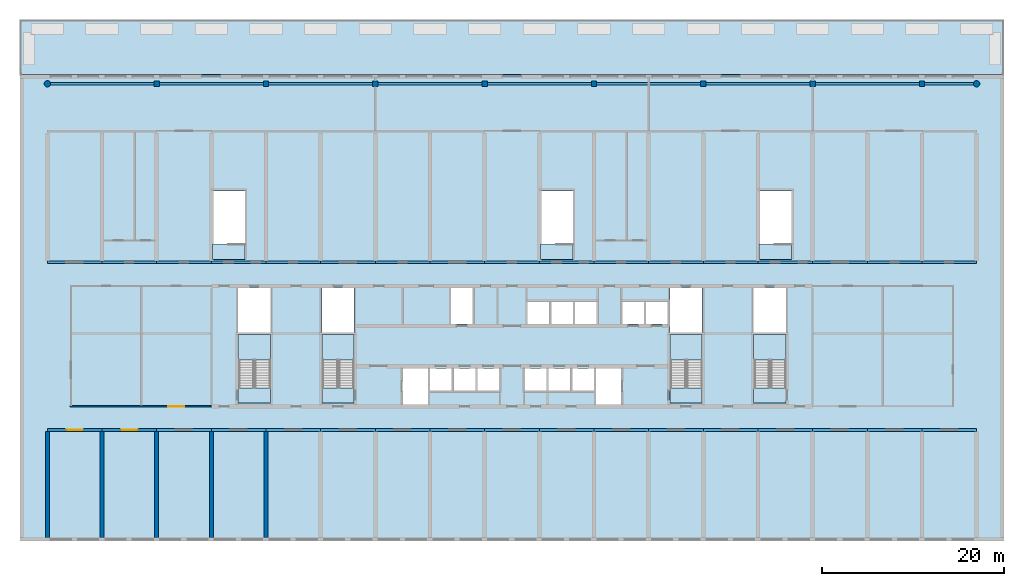
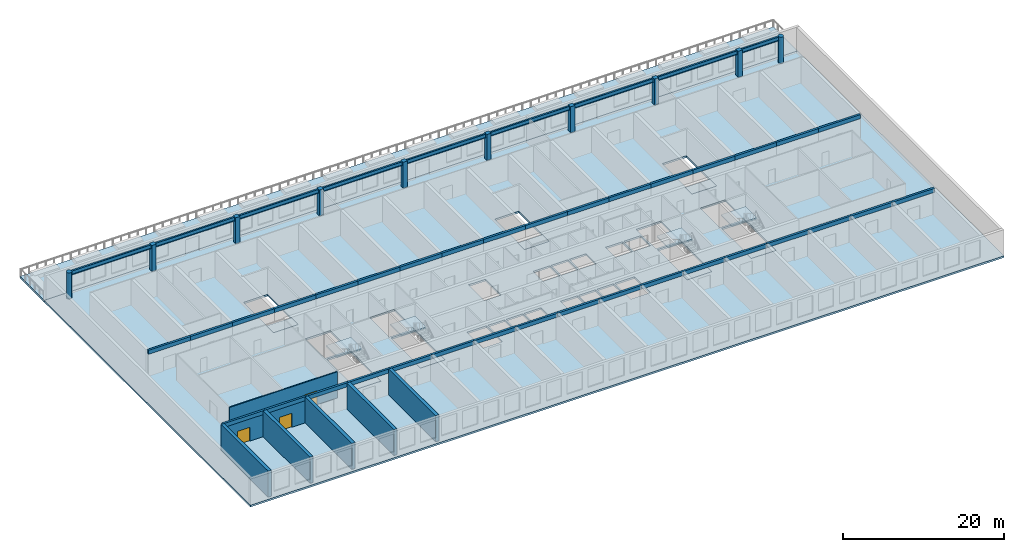
# One storey, part 1 of 15: 43 beams, 13 slabs, 10 columns, 8 walls, 3 doors, 3 openings, 4 elements without a shape of their own.
"""IFC4 building model written with IfcOpenShell, lengths in metres."""

from ifc_helpers import new_model, si_unit, direction, frame, frame_2d, origin, origin_2d, place, context, subcontext, project, spatial, polyline, rectangle, circle, i_section, outline, extrude, source, transform, mapped, material, layer, layer_set, material_profile, profile_set, type_object, element, fill, aggregate, save


model = new_model("IFC4")

# Units and contexts
model_context = context("Model", 3, precision=1e-05, world=origin(), true_north=direction((0.0, 1.0)))
body_context = subcontext(model_context, "Body", "Model", "MODEL_VIEW")
ifc_project = project(units=[si_unit("LENGTHUNIT", "METRE"), si_unit("AREAUNIT", "SQUARE_METRE"), si_unit("VOLUMEUNIT", "CUBIC_METRE"), si_unit("PLANEANGLEUNIT", "RADIAN"), si_unit("MASSUNIT", "GRAM", prefix="KILO")], contexts=[model_context])

# Site, building, storey
site_placement = place(None, origin())
site = spatial("IfcSite", under=ifc_project, at=site_placement, CompositionType="ELEMENT")
building_placement = place(site_placement, origin())
building = spatial("IfcBuilding", under=site, at=building_placement, Name="Poui Terraces", CompositionType="ELEMENT")
storey_placement = place(building_placement, frame((0.0, 0.0, 19.199951171875)))
storey = spatial("IfcBuildingStorey", under=building, at=storey_placement, Name="L04", CompositionType="ELEMENT", Elevation=19.199951171875)

# Columns
ifc_material_1 = material(Name="Concrete 80 MPa", Category="concrete")
ifc_material_profile_1 = material_profile(ifc_material_1, circle(Radius=0.35009765625, at=origin_2d()), Name="RC D700")
ifc_profile_set_1 = profile_set([ifc_material_profile_1], Name="Concrete 80 MPa")
column_type_1 = type_object("IfcColumnType", Name="COLUMN D700 80MPa", PredefinedType="COLUMN", material=ifc_profile_set_1)
shared_shape_1 = source(origin(), body_context, "Body", "SweptSolid", [
    extrude(circle(Radius=0.35009765625, at=origin_2d()), origin(), (0.0, 0.0, 1.0), 3.949951171875),
])
for number, where, z_axis, x_axis, name in (
    (1, (0.0, 50.0, 0.0), (0.0, 0.0, 1.0), (1.0, 0.0, 0.0), "COLUMN P4-1R"),
    (2, (102.0, 50.0, 0.0), (0.0, 0.0, 1.0), (1.0, 0.0, 0.0), "COLUMN P4-10R"),
):
    element("IfcColumn", number, at=place(storey_placement, frame(where, z_axis=z_axis, x_axis=x_axis)), inside=storey, type_object=column_type_1, Name=name, PredefinedType="COLUMN", context=body_context, shape_type="MappedRepresentation", body=[
        mapped(shared_shape_1, transform((0.0, 0.0, 0.0))),
    ])
ifc_material_profile_2 = material_profile(ifc_material_1, rectangle(XDim=0.60009765625, YDim=0.60009765625, at=origin_2d()), Name="RC 600x600")
ifc_profile_set_2 = profile_set([ifc_material_profile_2], Name="Concrete 80 MPa")
column_type_2 = type_object("IfcColumnType", Name="COLUMN 600x600 80MPa", PredefinedType="COLUMN", material=ifc_profile_set_2)
shared_shape_2 = source(origin(), body_context, "Body", "SweptSolid", [
    extrude(rectangle(XDim=0.60009765625, YDim=0.60009765625, at=origin_2d()), origin(), (0.0, 0.0, 1.0), 3.949951171875),
])
for number, where, z_axis, x_axis, name in (
    (3, (12.0, 50.0, 0.0), (0.0, 0.0, 1.0), (1.0, 0.0, 0.0), "COLUMN P4-2"),
    (4, (24.0, 50.0, 0.0), (0.0, 0.0, 1.0), (1.0, 0.0, 0.0), "COLUMN P4-3"),
    (5, (36.0, 50.0, 0.0), (0.0, 0.0, 1.0), (1.0, 0.0, 0.0), "COLUMN P4-4"),
    (6, (48.0, 50.0, 0.0), (0.0, 0.0, 1.0), (1.0, 0.0, 0.0), "COLUMN P4-5"),
    (7, (60.0, 50.0, 0.0), (0.0, 0.0, 1.0), (1.0, 0.0, 0.0), "COLUMN P4-6"),
    (8, (72.0, 50.0, 0.0), (0.0, 0.0, 1.0), (1.0, 0.0, 0.0), "COLUMN P4-7"),
    (9, (84.0, 50.0, 0.0), (0.0, 0.0, 1.0), (1.0, 0.0, 0.0), "COLUMN P4-8"),
    (10, (96.0, 50.0, 0.0), (0.0, 0.0, 1.0), (1.0, 0.0, 0.0), "COLUMN P4-9"),
):
    element("IfcColumn", number, at=place(storey_placement, frame(where, z_axis=z_axis, x_axis=x_axis)), inside=storey, type_object=column_type_2, Name=name, PredefinedType="COLUMN", context=body_context, shape_type="MappedRepresentation", body=[
        mapped(shared_shape_2, transform((0.0, 0.0, 0.0))),
    ])

# Beams
ifc_material_profile_3 = material_profile(ifc_material_1, rectangle(XDim=0.300048828125, YDim=0.60009765625, at=origin_2d()), Name="RC 300x600")
ifc_profile_set_3 = profile_set([ifc_material_profile_3], Name="Concrete 80 MPa")
beam_type_1 = type_object("IfcBeamType", Name="COUPLING BEAM 300x600 80MPa", PredefinedType="BEAM", material=ifc_profile_set_3)
shared_shape_3 = source(origin(), body_context, "Body", "SweptSolid", [
    extrude(rectangle(XDim=0.300048828125, YDim=0.60009765625, at=origin_2d()), origin(), (0.0, 0.0, 1.0), 6.0),
])
for number, where, z_axis, x_axis, name in (
    (11, (0.0, 12.0, 3.650146484375), (1.0, 0.0, 0.0), (0.0, 1.0, 0.0), "COUPLING BEAM LINE B BAY 1"),
    (12, (6.0, 12.0, 3.650146484375), (1.0, 0.0, 0.0), (0.0, 1.0, 0.0), "COUPLING BEAM LINE B BAY 2"),
    (13, (12.0, 12.0, 3.650146484375), (1.0, 0.0, 0.0), (0.0, 1.0, 0.0), "COUPLING BEAM LINE B BAY 3"),
    (14, (18.0, 12.0, 3.650146484375), (1.0, 0.0, 0.0), (0.0, 1.0, 0.0), "COUPLING BEAM LINE B BAY 4"),
    (15, (24.0, 12.0, 3.650146484375), (1.0, 0.0, 0.0), (0.0, 1.0, 0.0), "COUPLING BEAM LINE B BAY 5"),
    (16, (30.0, 12.0, 3.650146484375), (1.0, 0.0, 0.0), (0.0, 1.0, 0.0), "COUPLING BEAM LINE B BAY 6"),
    (17, (36.0, 12.0, 3.650146484375), (1.0, 0.0, 0.0), (0.0, 1.0, 0.0), "COUPLING BEAM LINE B BAY 7"),
    (18, (42.0, 12.0, 3.650146484375), (1.0, 0.0, 0.0), (0.0, 1.0, 0.0), "COUPLING BEAM LINE B BAY 8"),
    (19, (48.0, 12.0, 3.650146484375), (1.0, 0.0, 0.0), (0.0, 1.0, 0.0), "COUPLING BEAM LINE B BAY 9"),
    (20, (54.0, 12.0, 3.650146484375), (1.0, 0.0, 0.0), (0.0, 1.0, 0.0), "COUPLING BEAM LINE B BAY 10"),
    (21, (60.0, 12.0, 3.650146484375), (1.0, 0.0, 0.0), (0.0, 1.0, 0.0), "COUPLING BEAM LINE B BAY 11"),
    (22, (66.0, 12.0, 3.650146484375), (1.0, 0.0, 0.0), (0.0, 1.0, 0.0), "COUPLING BEAM LINE B BAY 12"),
    (23, (72.0, 12.0, 3.650146484375), (1.0, 0.0, 0.0), (0.0, 1.0, 0.0), "COUPLING BEAM LINE B BAY 13"),
    (24, (78.0, 12.0, 3.650146484375), (1.0, 0.0, 0.0), (0.0, 1.0, 0.0), "COUPLING BEAM LINE B BAY 14"),
    (25, (84.0, 12.0, 3.650146484375), (1.0, 0.0, 0.0), (0.0, 1.0, 0.0), "COUPLING BEAM LINE B BAY 15"),
    (26, (90.0, 12.0, 3.650146484375), (1.0, 0.0, 0.0), (0.0, 1.0, 0.0), "COUPLING BEAM LINE B BAY 16"),
    (27, (96.0, 12.0, 3.650146484375), (1.0, 0.0, 0.0), (0.0, 1.0, 0.0), "COUPLING BEAM LINE B BAY 17"),
    (28, (0.0, 30.39990234375, 3.650146484375), (1.0, 0.0, 0.0), (0.0, 1.0, 0.0), "COUPLING BEAM LINE E BAY 1"),
    (29, (6.0, 30.39990234375, 3.650146484375), (1.0, 0.0, 0.0), (0.0, 1.0, 0.0), "COUPLING BEAM LINE E BAY 2"),
    (30, (12.0, 30.39990234375, 3.650146484375), (1.0, 0.0, 0.0), (0.0, 1.0, 0.0), "COUPLING BEAM LINE E BAY 3"),
    (31, (18.0, 30.39990234375, 3.650146484375), (1.0, 0.0, 0.0), (0.0, 1.0, 0.0), "COUPLING BEAM LINE E BAY 4"),
    (32, (24.0, 30.39990234375, 3.650146484375), (1.0, 0.0, 0.0), (0.0, 1.0, 0.0), "COUPLING BEAM LINE E BAY 5"),
    (33, (30.0, 30.39990234375, 3.650146484375), (1.0, 0.0, 0.0), (0.0, 1.0, 0.0), "COUPLING BEAM LINE E BAY 6"),
    (34, (36.0, 30.39990234375, 3.650146484375), (1.0, 0.0, 0.0), (0.0, 1.0, 0.0), "COUPLING BEAM LINE E BAY 7"),
    (35, (42.0, 30.39990234375, 3.650146484375), (1.0, 0.0, 0.0), (0.0, 1.0, 0.0), "COUPLING BEAM LINE E BAY 8"),
    (36, (48.0, 30.39990234375, 3.650146484375), (1.0, 0.0, 0.0), (0.0, 1.0, 0.0), "COUPLING BEAM LINE E BAY 9"),
    (37, (54.0, 30.39990234375, 3.650146484375), (1.0, 0.0, 0.0), (0.0, 1.0, 0.0), "COUPLING BEAM LINE E BAY 10"),
    (38, (60.0, 30.39990234375, 3.650146484375), (1.0, 0.0, 0.0), (0.0, 1.0, 0.0), "COUPLING BEAM LINE E BAY 11"),
    (39, (66.0, 30.39990234375, 3.650146484375), (1.0, 0.0, 0.0), (0.0, 1.0, 0.0), "COUPLING BEAM LINE E BAY 12"),
    (40, (72.0, 30.39990234375, 3.650146484375), (1.0, 0.0, 0.0), (0.0, 1.0, 0.0), "COUPLING BEAM LINE E BAY 13"),
    (41, (78.0, 30.39990234375, 3.650146484375), (1.0, 0.0, 0.0), (0.0, 1.0, 0.0), "COUPLING BEAM LINE E BAY 14"),
    (42, (84.0, 30.39990234375, 3.650146484375), (1.0, 0.0, 0.0), (0.0, 1.0, 0.0), "COUPLING BEAM LINE E BAY 15"),
    (43, (90.0, 30.39990234375, 3.650146484375), (1.0, 0.0, 0.0), (0.0, 1.0, 0.0), "COUPLING BEAM LINE E BAY 16"),
    (44, (96.0, 30.39990234375, 3.650146484375), (1.0, 0.0, 0.0), (0.0, 1.0, 0.0), "COUPLING BEAM LINE E BAY 17"),
):
    element("IfcBeam", number, at=place(storey_placement, frame(where, z_axis=z_axis, x_axis=x_axis)), inside=storey, type_object=beam_type_1, Name=name, PredefinedType="BEAM", context=body_context, shape_type="MappedRepresentation", body=[
        mapped(shared_shape_3, transform((0.0, 0.0, 0.0))),
    ])
ifc_material_2 = material(Name="Steel Grade 300 MPa", Category="steel")
ifc_material_profile_4 = material_profile(ifc_material_2, i_section(OverallWidth=0.22900390625, OverallDepth=0.611572265625, WebThickness=0.011962890625, FlangeThickness=0.01953125, FilletRadius=0.013916015625, at=origin_2d()), Name="610UB125")
ifc_profile_set_4 = profile_set([ifc_material_profile_4], Name="Steel Grade 300 MPa")
beam_type_2 = type_object("IfcBeamType", Name="TERRACE GIRDER 610UB125", PredefinedType="BEAM", material=ifc_profile_set_4)
shared_shape_4 = source(origin(), body_context, "Body", "SweptSolid", [
    extrude(i_section(OverallWidth=0.22900390625, OverallDepth=0.611572265625, WebThickness=0.011962890625, FlangeThickness=0.01953125, FilletRadius=0.013916015625, at=origin_2d()), origin(), (0.0, 0.0, 1.0), 11.349853515625),
])
beam_1_placement = place(storey_placement, frame((0.35009765625, 50.0, 3.644287109375), z_axis=(1.0, 0.0, 0.0), x_axis=(0.0, 1.0, 0.0)))
element("IfcBeam", 45, at=beam_1_placement, inside=storey, type_object=beam_type_2, Name="TERRACE GIRDER", PredefinedType="BEAM", context=body_context, shape_type="MappedRepresentation", body=[
    mapped(shared_shape_4, transform((0.0, 0.0, 0.0))),
])
shared_shape_5 = source(origin(), body_context, "Body", "SweptSolid", [
    extrude(i_section(OverallWidth=0.22900390625, OverallDepth=0.611572265625, WebThickness=0.011962890625, FlangeThickness=0.01953125, FilletRadius=0.013916015625, at=origin_2d()), origin(), (0.0, 0.0, 1.0), 11.39990234375),
])
for number, where, z_axis, x_axis, name in (
    (46, (12.300048828125, 50.0, 3.644287109375), (1.0, 0.0, 0.0), (0.0, 1.0, 0.0), "TERRACE GIRDER"),
    (47, (24.300048828125, 50.0, 3.644287109375), (1.0, 0.0, 0.0), (0.0, 1.0, 0.0), "TERRACE GIRDER"),
    (48, (36.300048828125, 50.0, 3.644287109375), (1.0, 0.0, 0.0), (0.0, 1.0, 0.0), "TERRACE GIRDER"),
    (49, (48.300048828125, 50.0, 3.644287109375), (1.0, 0.0, 0.0), (0.0, 1.0, 0.0), "TERRACE GIRDER"),
    (50, (60.300048828125, 50.0, 3.644287109375), (1.0, 0.0, 0.0), (0.0, 1.0, 0.0), "TERRACE GIRDER"),
    (51, (72.300048828125, 50.0, 3.644287109375), (1.0, 0.0, 0.0), (0.0, 1.0, 0.0), "TERRACE GIRDER"),
    (52, (84.300048828125, 50.0, 3.644287109375), (1.0, 0.0, 0.0), (0.0, 1.0, 0.0), "TERRACE GIRDER"),
):
    element("IfcBeam", number, at=place(storey_placement, frame(where, z_axis=z_axis, x_axis=x_axis)), inside=storey, type_object=beam_type_2, Name=name, PredefinedType="BEAM", context=body_context, shape_type="MappedRepresentation", body=[
        mapped(shared_shape_5, transform((0.0, 0.0, 0.0))),
    ])
shared_shape_6 = source(origin(), body_context, "Body", "SweptSolid", [
    extrude(i_section(OverallWidth=0.22900390625, OverallDepth=0.611572265625, WebThickness=0.011962890625, FlangeThickness=0.01953125, FilletRadius=0.013916015625, at=origin_2d()), origin(), (0.0, 0.0, 1.0), 5.349853515625),
])
beam_2_placement = place(storey_placement, frame((96.300048828125, 50.0, 3.644287109375), z_axis=(1.0, 0.0, 0.0), x_axis=(0.0, 1.0, 0.0)))
element("IfcBeam", 53, at=beam_2_placement, inside=storey, type_object=beam_type_2, Name="TERRACE GIRDER", PredefinedType="BEAM", context=body_context, shape_type="MappedRepresentation", body=[
    mapped(shared_shape_6, transform((0.0, 0.0, 0.0))),
])

# Stair, slabs
stair_type = type_object("IfcStairType", Name="EXIT STAIR 1650 80 MPA", PredefinedType="HALF_TURN_STAIR", material=ifc_material_1)
stair_1_placement = place(storey_placement, origin())
stair_1 = element("IfcStair", 54, at=stair_1_placement, inside=storey, type_object=stair_type, Name="L04 CORE STAIR EAST", PredefinedType="HALF_TURN_STAIR")
ifc_layer_1 = layer(ifc_material_1, 0.199951171875)
ifc_layer_set_1 = layer_set([ifc_layer_1], Name="Concrete 80 MPa")
slab_type_1 = type_object("IfcSlabType", Name="STAIR LANDING 200 80 MPA", PredefinedType="LANDING", material=ifc_layer_set_1)
slab_1_placement = place(storey_placement, frame((0.0, 0.0, 1.89990234375)))
slab_1 = element("IfcSlab", 55, at=slab_1_placement, type_object=slab_type_1, Name="ST-CE landing 1", PredefinedType="LANDING", context=body_context, shape_type="SweptSolid", body=[
    extrude(outline(polyline([(68.324951171875, 19.679931640625), (71.875, 19.679931640625), (71.875, 22.47509765625), (68.324951171875, 22.47509765625), (68.324951171875, 19.679931640625)])), origin(), (0.0, 0.0, 1.0), 0.2001953125),
])
slab_2_placement = place(storey_placement, frame((0.0, 0.0, -0.199951171875)))
slab_2 = element("IfcSlab", 56, at=slab_2_placement, type_object=slab_type_1, Name="ST-CE landing 2", PredefinedType="LANDING", context=body_context, shape_type="SweptSolid", body=[
    extrude(outline(polyline([(68.324951171875, 14.949951171875), (71.875, 14.949951171875), (71.875, 16.60009765625), (68.324951171875, 16.60009765625), (68.324951171875, 14.949951171875)])), origin(), (0.0, 0.0, 1.0), 0.199951171875),
])
aggregate(stair_1, [slab_1, slab_2])

stair_2_placement = place(storey_placement, origin())
stair_2 = element("IfcStair", 57, at=stair_2_placement, inside=storey, type_object=stair_type, Name="L04 CORE STAIR WEST", PredefinedType="HALF_TURN_STAIR")
slab_3_placement = place(storey_placement, frame((0.0, 0.0, 1.89990234375)))
slab_3 = element("IfcSlab", 58, at=slab_3_placement, type_object=slab_type_1, Name="ST-CW landing 1", PredefinedType="LANDING", context=body_context, shape_type="SweptSolid", body=[
    extrude(outline(polyline([(30.125, 19.679931640625), (33.675048828125, 19.679931640625), (33.675048828125, 22.47509765625), (30.125, 22.47509765625), (30.125, 19.679931640625)])), origin(), (0.0, 0.0, 1.0), 0.2001953125),
])
slab_4_placement = place(storey_placement, frame((0.0, 0.0, -0.199951171875)))
slab_4 = element("IfcSlab", 59, at=slab_4_placement, type_object=slab_type_1, Name="ST-CW landing 2", PredefinedType="LANDING", context=body_context, shape_type="SweptSolid", body=[
    extrude(outline(polyline([(30.125, 14.949951171875), (33.675048828125, 14.949951171875), (33.675048828125, 16.60009765625), (30.125, 16.60009765625), (30.125, 14.949951171875)])), origin(), (0.0, 0.0, 1.0), 0.199951171875),
])
aggregate(stair_2, [slab_3, slab_4])

stair_3_placement = place(storey_placement, origin())
stair_3 = element("IfcStair", 60, at=stair_3_placement, inside=storey, type_object=stair_type, Name="L04 TIP STAIR EAST", PredefinedType="HALF_TURN_STAIR")
slab_5_placement = place(storey_placement, frame((0.0, 0.0, 1.89990234375)))
slab_5 = element("IfcSlab", 61, at=slab_5_placement, type_object=slab_type_1, Name="ST-E landing 1", PredefinedType="LANDING", context=body_context, shape_type="SweptSolid", body=[
    extrude(outline(polyline([(77.52490234375, 19.679931640625), (81.074951171875, 19.679931640625), (81.074951171875, 22.47509765625), (77.52490234375, 22.47509765625), (77.52490234375, 19.679931640625)])), origin(), (0.0, 0.0, 1.0), 0.2001953125),
])
slab_6_placement = place(storey_placement, frame((0.0, 0.0, -0.199951171875)))
slab_6 = element("IfcSlab", 62, at=slab_6_placement, type_object=slab_type_1, Name="ST-E landing 2", PredefinedType="LANDING", context=body_context, shape_type="SweptSolid", body=[
    extrude(outline(polyline([(77.52490234375, 14.949951171875), (81.074951171875, 14.949951171875), (81.074951171875, 16.60009765625), (77.52490234375, 16.60009765625), (77.52490234375, 14.949951171875)])), origin(), (0.0, 0.0, 1.0), 0.199951171875),
])
aggregate(stair_3, [slab_5, slab_6])

stair_4_placement = place(storey_placement, origin())
stair_4 = element("IfcStair", 63, at=stair_4_placement, inside=storey, type_object=stair_type, Name="L04 TIP STAIR WEST", PredefinedType="HALF_TURN_STAIR")
slab_7_placement = place(storey_placement, frame((0.0, 0.0, 1.89990234375)))
slab_7 = element("IfcSlab", 64, at=slab_7_placement, type_object=slab_type_1, Name="ST-W landing 1", PredefinedType="LANDING", context=body_context, shape_type="SweptSolid", body=[
    extrude(outline(polyline([(20.925048828125, 19.679931640625), (24.47509765625, 19.679931640625), (24.47509765625, 22.47509765625), (20.925048828125, 22.47509765625), (20.925048828125, 19.679931640625)])), origin(), (0.0, 0.0, 1.0), 0.2001953125),
])
slab_8_placement = place(storey_placement, frame((0.0, 0.0, -0.199951171875)))
slab_8 = element("IfcSlab", 65, at=slab_8_placement, type_object=slab_type_1, Name="ST-W landing 2", PredefinedType="LANDING", context=body_context, shape_type="SweptSolid", body=[
    extrude(outline(polyline([(20.925048828125, 14.949951171875), (24.47509765625, 14.949951171875), (24.47509765625, 16.60009765625), (20.925048828125, 16.60009765625), (20.925048828125, 14.949951171875)])), origin(), (0.0, 0.0, 1.0), 0.199951171875),
])
aggregate(stair_4, [slab_7, slab_8])

# Slabs
slab_9_placement = place(storey_placement, frame((0.0, 0.0, -0.199951171875)))
element("IfcSlab", 66, at=slab_9_placement, inside=storey, type_object=slab_type_1, Name="ST-N1 floor landing L04", PredefinedType="LANDING", context=body_context, shape_type="SweptSolid", body=[
    extrude(outline(polyline([(18.125, 30.699951171875), (21.675048828125, 30.699951171875), (21.675048828125, 32.39990234375), (18.125, 32.39990234375), (18.125, 30.699951171875)])), origin(), (0.0, 0.0, 1.0), 0.199951171875),
])
slab_10_placement = place(storey_placement, frame((0.0, 0.0, -0.199951171875)))
element("IfcSlab", 67, at=slab_10_placement, inside=storey, type_object=slab_type_1, Name="ST-N2 floor landing L04", PredefinedType="LANDING", context=body_context, shape_type="SweptSolid", body=[
    extrude(outline(polyline([(78.125, 30.699951171875), (81.675048828125, 30.699951171875), (81.675048828125, 32.39990234375), (78.125, 32.39990234375), (78.125, 30.699951171875)])), origin(), (0.0, 0.0, 1.0), 0.199951171875),
])
slab_11_placement = place(storey_placement, frame((0.0, 0.0, -0.199951171875)))
element("IfcSlab", 68, at=slab_11_placement, inside=storey, type_object=slab_type_1, Name="ST-N3 floor landing L04", PredefinedType="LANDING", context=body_context, shape_type="SweptSolid", body=[
    extrude(outline(polyline([(54.125, 30.699951171875), (57.675048828125, 30.699951171875), (57.675048828125, 32.39990234375), (54.125, 32.39990234375), (54.125, 30.699951171875)])), origin(), (0.0, 0.0, 1.0), 0.199951171875),
])
ifc_material_3 = material(Name="Concrete 40 MPa", Category="concrete")
ifc_layer_2 = layer(ifc_material_3, 0.280029296875)
ifc_layer_set_2 = layer_set([ifc_layer_2], Name="Concrete 40 MPa")
slab_type_2 = type_object("IfcSlabType", Name="TERRACE SLAB 280", PredefinedType="FLOOR", material=ifc_layer_set_2)
shared_shape_7 = source(origin(), body_context, "Body", "SweptSolid", [
    extrude(outline(polyline([(0.0, 0.0), (0.0, -6.0), (108.0, -6.0), (108.0, 0.0), (0.0, 0.0)])), origin(), (0.0, 0.0, 1.0), 0.280029296875),
])
slab_12_placement = place(storey_placement, frame((-3.0, 57.0, -0.280029296875)))
element("IfcSlab", 69, at=slab_12_placement, inside=storey, type_object=slab_type_2, Name="TERRACE SLAB", PredefinedType="FLOOR", context=body_context, shape_type="MappedRepresentation", body=[
    mapped(shared_shape_7, transform((0.0, 0.0, 0.0))),
])
ifc_layer_3 = layer(ifc_material_3, 0.280029296875)
ifc_layer_set_3 = layer_set([ifc_layer_3], Name="Concrete 40 MPa")
slab_type_3 = type_object("IfcSlabType", Name="FLOOR SLAB 280", PredefinedType="FLOOR", material=ifc_layer_set_3)
shared_shape_8 = source(origin(), body_context, "Body", "SweptSolid", [
    extrude(outline(polyline([(0.0, 0.0), (108.0, 0.0), (108.0, 51.199951171875), (0.0, 51.199951171875), (0.0, 0.0)]), holes=[polyline([(42.0, 15.02490234375), (42.0, 18.974853515625), (44.800048828125, 18.974853515625), (44.800048828125, 15.02490234375), (42.0, 15.02490234375)]), polyline([(45.0, 18.974853515625), (47.39990234375, 18.974853515625), (47.39990234375, 16.5), (45.0, 16.5), (45.0, 18.974853515625)]), polyline([(47.60009765625, 18.974853515625), (50.0, 18.974853515625), (50.0, 16.5), (47.60009765625, 16.5), (47.60009765625, 18.974853515625)]), polyline([(50.199951171875, 16.5), (50.199951171875, 18.974853515625), (52.60009765625, 18.974853515625), (52.60009765625, 16.5), (50.199951171875, 16.5)]), polyline([(55.39990234375, 18.974853515625), (57.800048828125, 18.974853515625), (57.800048828125, 16.5), (55.39990234375, 16.5), (55.39990234375, 18.974853515625)]), polyline([(27.47509765625, 22.64990234375), (27.47509765625, 16.800048828125), (27.47509765625, 15.14990234375), (23.925048828125, 15.14990234375), (23.925048828125, 16.800048828125), (24.02490234375, 16.800048828125), (24.02490234375, 22.64990234375), (27.47509765625, 22.64990234375)]), polyline([(33.22509765625, 22.64990234375), (36.675048828125, 22.64990234375), (36.675048828125, 16.800048828125), (36.675048828125, 15.14990234375), (33.125, 15.14990234375), (33.125, 16.800048828125), (33.22509765625, 16.800048828125), (33.22509765625, 22.64990234375)]), polyline([(55.699951171875, 26.300048828125), (58.10009765625, 26.300048828125), (58.10009765625, 23.824951171875), (55.699951171875, 23.824951171875), (55.699951171875, 26.300048828125)]), polyline([(23.925048828125, 27.77490234375), (27.47509765625, 27.77490234375), (27.47509765625, 22.925048828125), (23.925048828125, 22.925048828125), (23.925048828125, 27.77490234375)]), polyline([(33.125, 22.925048828125), (33.125, 27.77490234375), (36.675048828125, 27.77490234375), (36.675048828125, 22.925048828125), (33.125, 22.925048828125)]), polyline([(47.300048828125, 27.77490234375), (49.699951171875, 27.77490234375), (49.699951171875, 23.824951171875), (47.300048828125, 23.824951171875), (47.300048828125, 27.77490234375)]), polyline([(24.675048828125, 38.449951171875), (24.675048828125, 32.599853515625), (24.675048828125, 30.89990234375), (21.125, 30.89990234375), (21.125, 32.599853515625), (21.22509765625, 32.599853515625), (21.22509765625, 38.449951171875), (24.675048828125, 38.449951171875)]), polyline([(57.22509765625, 38.449951171875), (60.675048828125, 38.449951171875), (60.675048828125, 32.599853515625), (60.675048828125, 30.89990234375), (57.125, 30.89990234375), (57.125, 32.599853515625), (57.22509765625, 32.599853515625), (57.22509765625, 38.449951171875)]), polyline([(63.199951171875, 18.974853515625), (66.0, 18.974853515625), (66.0, 15.02490234375), (63.199951171875, 15.02490234375), (63.199951171875, 18.974853515625)]), polyline([(58.0, 18.974853515625), (60.39990234375, 18.974853515625), (60.39990234375, 16.5), (58.0, 16.5), (58.0, 18.974853515625)]), polyline([(60.60009765625, 16.5), (60.60009765625, 18.974853515625), (63.0, 18.974853515625), (63.0, 16.5), (60.60009765625, 16.5)]), polyline([(74.875, 22.64990234375), (74.875, 16.800048828125), (74.875, 15.14990234375), (71.324951171875, 15.14990234375), (71.324951171875, 16.800048828125), (71.425048828125, 16.800048828125), (71.425048828125, 22.64990234375), (74.875, 22.64990234375)]), polyline([(84.074951171875, 22.64990234375), (84.074951171875, 16.800048828125), (84.074951171875, 15.14990234375), (80.52490234375, 15.14990234375), (80.52490234375, 16.800048828125), (80.625, 16.800048828125), (80.625, 22.64990234375), (84.074951171875, 22.64990234375)]), polyline([(58.300048828125, 23.824951171875), (58.300048828125, 26.300048828125), (60.699951171875, 26.300048828125), (60.699951171875, 23.824951171875), (58.300048828125, 23.824951171875)]), polyline([(60.89990234375, 26.300048828125), (63.300048828125, 26.300048828125), (63.300048828125, 23.824951171875), (60.89990234375, 23.824951171875), (60.89990234375, 26.300048828125)]), polyline([(66.10009765625, 26.300048828125), (68.5, 26.300048828125), (68.5, 23.824951171875), (66.10009765625, 23.824951171875), (66.10009765625, 26.300048828125)]), polyline([(68.699951171875, 26.300048828125), (71.10009765625, 26.300048828125), (71.10009765625, 23.824951171875), (68.699951171875, 23.824951171875), (68.699951171875, 26.300048828125)]), polyline([(71.324951171875, 27.77490234375), (74.875, 27.77490234375), (74.875, 22.925048828125), (71.324951171875, 22.925048828125), (71.324951171875, 27.77490234375)]), polyline([(80.52490234375, 27.77490234375), (84.074951171875, 27.77490234375), (84.074951171875, 22.925048828125), (80.52490234375, 22.925048828125), (80.52490234375, 27.77490234375)]), polyline([(84.675048828125, 38.449951171875), (84.675048828125, 32.599853515625), (84.675048828125, 30.89990234375), (81.125, 30.89990234375), (81.125, 32.599853515625), (81.22509765625, 32.599853515625), (81.22509765625, 38.449951171875), (84.675048828125, 38.449951171875)])]), origin(), (0.0, 0.0, 1.0), 0.280029296875),
])
slab_13_placement = place(storey_placement, frame((-3.0, -0.199951171875, -0.280029296875)))
element("IfcSlab", 70, at=slab_13_placement, inside=storey, type_object=slab_type_3, Name="FLOOR SLAB", PredefinedType="FLOOR", context=body_context, shape_type="MappedRepresentation", body=[
    mapped(shared_shape_8, transform((0.0, 0.0, 0.0))),
])

# Wall, opening, door
ifc_material_4 = material(Name="Fire-rated plasterboard wall")
ifc_layer_4 = layer(ifc_material_4, 0.14990234375)
ifc_layer_set_4 = layer_set([ifc_layer_4], Name="Fire-rated plasterboard wall")
wall_type_1 = type_object("IfcWallType", Name="CORRIDOR WALL 150", PredefinedType="PARTITIONING", material=ifc_layer_set_4)
wall_1_placement = place(storey_placement, frame((2.52490234375, 14.60009765625, 0.0), z_axis=(0.0, 0.0, 1.0), x_axis=(1.0, 0.0, 0.0)))
wall_1 = element("IfcWall", 71, at=wall_1_placement, inside=storey, type_object=wall_type_1, Name="CORRIDOR WALL 150", PredefinedType="PARTITIONING", context=body_context, shape_type="SweptSolid", body=[
    extrude(rectangle(XDim=15.465087890625, YDim=0.14990234375, at=frame_2d((7.732421875, 0.0))), origin(), (0.0, 0.0, 1.0), 3.949951171875),
])
opening_1_placement = place(wall_1_placement, frame((10.72509765625, 0.0, 0.0)))
opening_1 = element("IfcOpeningElement", 72, at=opening_1_placement, cuts=wall_1, Name="Opening DD180", PredefinedType="OPENING", context=body_context, shape_type="SweptSolid", body=[
    extrude(rectangle(XDim=1.800048828125, YDim=2.10009765625, at=frame_2d((0.89990234375, 1.050048828125))), frame((0.0, 0.0849609375, 0.0), z_axis=(0.0, -1.0, 0.0), x_axis=(1.0, 0.0, 0.0)), (0.0, 0.0, 1.0), 0.169921875),
])
ifc_material_5 = material(Name="Steel fire door", Category="steel")
door_type = type_object("IfcDoorType", Name="DOUBLE INTERNAL DOOR 1800 X 2100", OperationType="DOUBLE_DOOR_SINGLE_SWING", PredefinedType="DOOR", material=ifc_material_5)
door_1_placement = place(opening_1_placement, frame((1.800048828125, 0.0, 0.0), z_axis=(0.0, 0.0, 1.0), x_axis=(-1.0, 0.0, 0.0)))
door_1 = element("IfcDoor", 73, at=door_1_placement, inside=storey, type_object=door_type, Name="DOUBLE INTERNAL DOOR 043", OperationType="DOUBLE_DOOR_SINGLE_SWING", OverallHeight=2.10009765625, OverallWidth=1.800048828125, PredefinedType="DOOR", context=body_context, shape_type="SweptSolid", body=[
    extrude(rectangle(XDim=1.800048828125, YDim=2.10009765625, at=frame_2d((0.89990234375, 1.050048828125))), frame((0.0, 0.02490234375, 0.0), z_axis=(0.0, -1.0, 0.0), x_axis=(1.0, 0.0, 0.0)), (0.0, 0.0, 1.0), 0.050048828125),
])
fill(opening_1, door_1)

ifc_layer_5 = layer(ifc_material_1, 0.300048828125)
ifc_layer_set_5 = layer_set([ifc_layer_5], Name="Concrete 80 MPa")
wall_type_2 = type_object("IfcWallType", Name="CORRIDOR WALL 300 80MPa", PredefinedType="SHEAR", material=ifc_layer_set_5)
wall_2_placement = place(storey_placement, frame((0.0, 12.0, 0.0), z_axis=(0.0, 0.0, 1.0), x_axis=(1.0, 0.0, 0.0)))
wall_2 = element("IfcWall", 74, at=wall_2_placement, inside=storey, type_object=wall_type_2, Name="CORRIDOR WALL LINE B BAY 1", PredefinedType="SHEAR", context=body_context, shape_type="SweptSolid", body=[
    extrude(rectangle(XDim=6.0, YDim=0.300048828125, at=frame_2d((3.0, 0.0))), origin(), (0.0, 0.0, 1.0), 3.35009765625),
])
opening_2_placement = place(wall_2_placement, frame((2.10009765625, 0.0, 0.0)))
opening_2 = element("IfcOpeningElement", 75, at=opening_2_placement, cuts=wall_2, Name="Opening DD180", PredefinedType="OPENING", context=body_context, shape_type="SweptSolid", body=[
    extrude(rectangle(XDim=1.800048828125, YDim=2.10009765625, at=frame_2d((0.89990234375, 1.050048828125))), frame((0.0, 0.16015625, 0.0), z_axis=(0.0, -1.0, 0.0), x_axis=(1.0, 0.0, 0.0)), (0.0, 0.0, 1.0), 0.320068359375),
])
door_2_placement = place(opening_2_placement, origin())
door_2 = element("IfcDoor", 76, at=door_2_placement, inside=storey, type_object=door_type, Name="DOUBLE INTERNAL DOOR 041", OperationType="DOUBLE_DOOR_SINGLE_SWING", OverallHeight=2.10009765625, OverallWidth=1.800048828125, PredefinedType="DOOR", context=body_context, shape_type="SweptSolid", body=[
    extrude(rectangle(XDim=1.800048828125, YDim=2.10009765625, at=frame_2d((0.89990234375, 1.050048828125))), frame((0.0, 0.02490234375, 0.0), z_axis=(0.0, -1.0, 0.0), x_axis=(1.0, 0.0, 0.0)), (0.0, 0.0, 1.0), 0.050048828125),
])
fill(opening_2, door_2)

wall_3_placement = place(storey_placement, frame((6.0, 12.0, 0.0), z_axis=(0.0, 0.0, 1.0), x_axis=(1.0, 0.0, 0.0)))
wall_3 = element("IfcWall", 77, at=wall_3_placement, inside=storey, type_object=wall_type_2, Name="CORRIDOR WALL LINE B BAY 2", PredefinedType="SHEAR", context=body_context, shape_type="SweptSolid", body=[
    extrude(rectangle(XDim=6.0, YDim=0.300048828125, at=frame_2d((3.0, 0.0))), origin(), (0.0, 0.0, 1.0), 3.35009765625),
])
opening_3_placement = place(wall_3_placement, frame((2.10009765625, 0.0, 0.0)))
opening_3 = element("IfcOpeningElement", 78, at=opening_3_placement, cuts=wall_3, Name="Opening DD180", PredefinedType="OPENING", context=body_context, shape_type="SweptSolid", body=[
    extrude(rectangle(XDim=1.800048828125, YDim=2.10009765625, at=frame_2d((0.89990234375, 1.050048828125))), frame((0.0, 0.16015625, 0.0), z_axis=(0.0, -1.0, 0.0), x_axis=(1.0, 0.0, 0.0)), (0.0, 0.0, 1.0), 0.320068359375),
])
door_3_placement = place(opening_3_placement, origin())
door_3 = element("IfcDoor", 79, at=door_3_placement, inside=storey, type_object=door_type, Name="DOUBLE INTERNAL DOOR 042", OperationType="DOUBLE_DOOR_SINGLE_SWING", OverallHeight=2.10009765625, OverallWidth=1.800048828125, PredefinedType="DOOR", context=body_context, shape_type="SweptSolid", body=[
    extrude(rectangle(XDim=1.800048828125, YDim=2.10009765625, at=frame_2d((0.89990234375, 1.050048828125))), frame((0.0, 0.02490234375, 0.0), z_axis=(0.0, -1.0, 0.0), x_axis=(1.0, 0.0, 0.0)), (0.0, 0.0, 1.0), 0.050048828125),
])
fill(opening_3, door_3)

# Walls
ifc_layer_6 = layer(ifc_material_1, 0.449951171875)
ifc_layer_set_6 = layer_set([ifc_layer_6], Name="Concrete 80 MPa")
wall_type_3 = type_object("IfcWallType", Name="CROSS WALL 450 80MPa", PredefinedType="SHEAR", material=ifc_layer_set_6)
for number, where, z_axis, x_axis, name in (
    (80, (0.0, 0.199951171875, 0.0), (0.0, 0.0, 1.0), (0.0, 1.0, 0.0), "CROSS WALL LINE 1 SOUTH"),
    (81, (6.0, 0.199951171875, 0.0), (0.0, 0.0, 1.0), (0.0, 1.0, 0.0), "CROSS WALL LINE 2 SOUTH"),
    (82, (12.0, 0.199951171875, 0.0), (0.0, 0.0, 1.0), (0.0, 1.0, 0.0), "CROSS WALL LINE 3 SOUTH"),
    (83, (18.0, 0.199951171875, 0.0), (0.0, 0.0, 1.0), (0.0, 1.0, 0.0), "CROSS WALL LINE 4 SOUTH"),
    (84, (24.0, 0.199951171875, 0.0), (0.0, 0.0, 1.0), (0.0, 1.0, 0.0), "CROSS WALL LINE 5 SOUTH"),
):
    element("IfcWall", number, at=place(storey_placement, frame(where, z_axis=z_axis, x_axis=x_axis)), inside=storey, type_object=wall_type_3, Name=name, PredefinedType="SHEAR", context=body_context, shape_type="SweptSolid", body=[
        extrude(rectangle(XDim=11.650146484375, YDim=0.449951171875, at=frame_2d((5.8251953125, 0.0))), origin(), (0.0, 0.0, 1.0), 3.949951171875),
    ])

save(model, "model.ifc")
